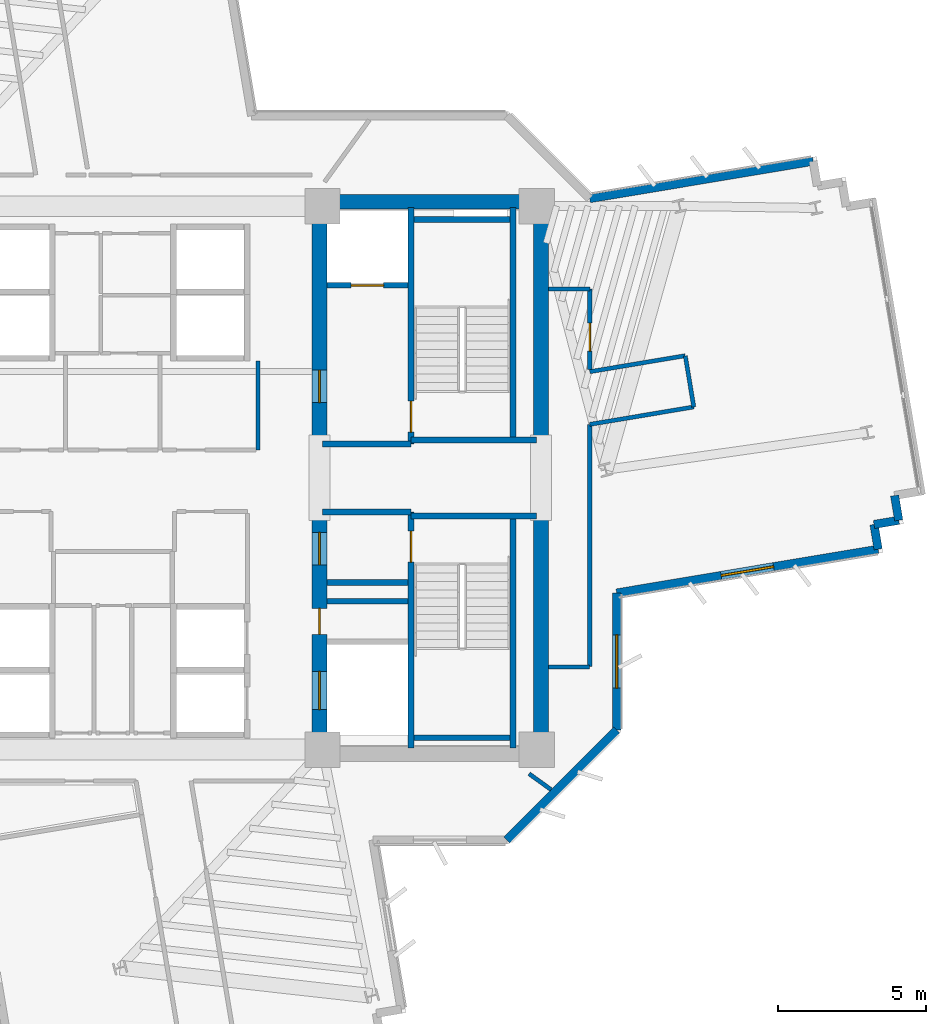
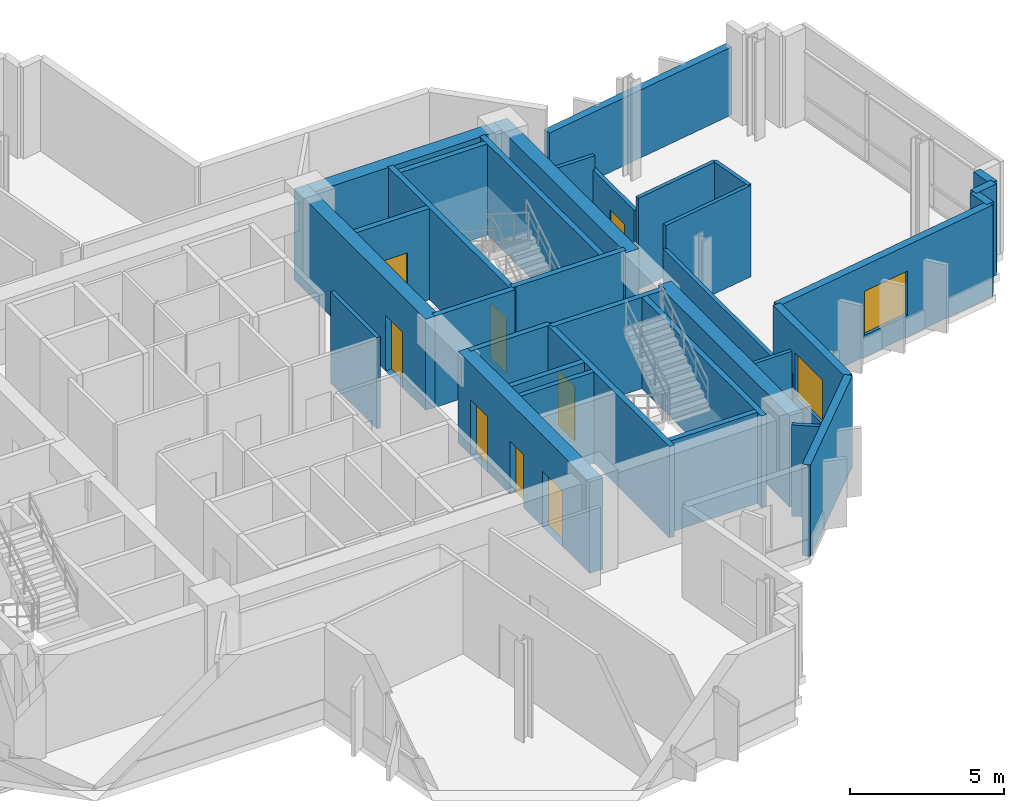
# One storey, part 10 of 15: 34 walls, 8 doors, 2 windows, 10 openings.
"""IFC4 building model written with IfcOpenShell, lengths in metres."""

from ifc_helpers import new_model, si_unit, direction, frame, frame_2d, origin, place, context, subcontext, project, spatial, rectangle, extrude, source, transform, mapped, material, layer, layer_set, type_object, element, fill, save


model = new_model("IFC4")

# Units and contexts
model_context = context("Model", 3, precision=1e-05, world=origin(), true_north=direction((0.0, 1.0)))
body_context = subcontext(model_context, "Body", "Model", "MODEL_VIEW")
ifc_project = project(units=[si_unit("LENGTHUNIT", "METRE"), si_unit("AREAUNIT", "SQUARE_METRE"), si_unit("VOLUMEUNIT", "CUBIC_METRE"), si_unit("PLANEANGLEUNIT", "RADIAN"), si_unit("MASSUNIT", "GRAM", prefix="KILO")], contexts=[model_context])

# Site, building, storey
site_placement = place(None, origin())
site = spatial("IfcSite", under=ifc_project, at=site_placement, CompositionType="ELEMENT")
building_placement = place(site_placement, origin())
building = spatial("IfcBuilding", under=site, at=building_placement, Name="Zahravan Cultural Tower", CompositionType="ELEMENT")
storey_placement = place(building_placement, frame((0.0, 0.0, 139.5)))
storey = spatial("IfcBuildingStorey", under=building, at=storey_placement, Name="L31", CompositionType="ELEMENT", Elevation=139.5)

# Wall, openings, doors
ifc_material_1 = material(Name="Concrete C60/75", Category="concrete")
ifc_layer_1 = layer(ifc_material_1, 0.5)
ifc_layer_set_1 = layer_set([ifc_layer_1], Name="Concrete C60/75")
wall_type_1 = type_object("IfcWallType", Name="CW-SHEAR-500-C60", PredefinedType="SHEAR", material=ifc_layer_set_1)
wall_1_placement = place(storey_placement, frame((43.0, 17.39990234375, 0.0), z_axis=(0.0, 0.0, 1.0), x_axis=(0.0, 1.0, 0.0)))
wall_1 = element("IfcWall", 1, at=wall_1_placement, inside=storey, type_object=wall_type_1, Name="L31 Core Shear Wall CW-E-WS-L31", PredefinedType="SHEAR", context=body_context, shape_type="SweptSolid", body=[
    extrude(rectangle(XDim=8.550048828125, YDim=0.5, at=frame_2d((4.27490234375, 0.0))), origin(), (0.0, 0.0, 1.0), 3.6201171875),
])
opening_1_placement = place(wall_1_placement, frame((6.64990234375, 0.0, 0.0)))
opening_1 = element("IfcOpeningElement", 2, at=opening_1_placement, cuts=wall_1, Name="Opening D-L31-08", PredefinedType="OPENING", context=body_context, shape_type="SweptSolid", body=[
    extrude(rectangle(XDim=1.10009765625, YDim=2.199951171875, at=frame_2d((0.550048828125, 1.10009765625))), frame((0.0, 0.260009765625, 0.0), z_axis=(0.0, -1.0, 0.0), x_axis=(1.0, 0.0, 0.0)), (0.0, 0.0, 1.0), 0.52001953125),
])
opening_2_placement = place(wall_1_placement, frame((1.75, 0.0, 0.0)))
opening_2 = element("IfcOpeningElement", 3, at=opening_2_placement, cuts=wall_1, Name="Opening LD-L31-03", PredefinedType="OPENING", context=body_context, shape_type="SweptSolid", body=[
    extrude(rectangle(XDim=1.300048828125, YDim=2.199951171875, at=frame_2d((0.64990234375, 1.10009765625))), frame((0.0, 0.260009765625, 0.0), z_axis=(0.0, -1.0, 0.0), x_axis=(1.0, 0.0, 0.0)), (0.0, 0.0, 1.0), 0.52001953125),
])
opening_3_placement = place(wall_1_placement, frame((4.300048828125, 0.0, 0.0)))
opening_3 = element("IfcOpeningElement", 4, at=opening_3_placement, cuts=wall_1, Name="Opening D-L31-12", PredefinedType="OPENING", context=body_context, shape_type="SweptSolid", body=[
    extrude(rectangle(XDim=0.8798828125, YDim=2.10009765625, at=frame_2d((0.43994140625, 1.050048828125))), frame((0.0, 0.260009765625, 0.0), z_axis=(0.0, -1.0, 0.0), x_axis=(1.0, 0.0, 0.0)), (0.0, 0.0, 1.0), 0.52001953125),
])
ifc_material_2 = material(Name="Steel ASTM A572 Grade 50", Category="steel")
door_type_1 = type_object("IfcDoorType", Name="DR-LOBBY-1100", OperationType="NOTDEFINED", PredefinedType="DOOR", material=ifc_material_2)
shared_shape_1 = source(origin(), body_context, "Body", "SweptSolid", [
    extrude(rectangle(XDim=1.10009765625, YDim=2.199951171875, at=frame_2d((0.550048828125, 1.10009765625))), frame((0.0, 0.02490234375, 0.0), z_axis=(0.0, -1.0, 0.0), x_axis=(1.0, 0.0, 0.0)), (0.0, 0.0, 1.0), 0.050048828125),
])
door_1_placement = place(opening_1_placement, origin())
door_1 = element("IfcDoor", 5, at=door_1_placement, inside=storey, type_object=door_type_1, Name="L31 Door D-L31-08", OperationType="SINGLE_SWING_RIGHT", OverallHeight=2.199951171875, OverallWidth=1.10009765625, PredefinedType="DOOR", context=body_context, shape_type="MappedRepresentation", body=[
    mapped(shared_shape_1, transform((0.0, 0.0, 0.0), x_axis=(1.0, 0.0, 0.0), y_axis=(0.0, 1.0, 0.0), z_axis=(0.0, 0.0, 1.0), scale=1.0)),
])
fill(opening_1, door_1)
door_type_2 = type_object("IfcDoorType", Name="DR-LIFT-1300", OperationType="DOUBLE_DOOR_SLIDING", PredefinedType="DOOR", material=ifc_material_2)
shared_shape_2 = source(origin(), body_context, "Body", "SweptSolid", [
    extrude(rectangle(XDim=1.300048828125, YDim=2.199951171875, at=frame_2d((0.64990234375, 1.10009765625))), frame((0.0, 0.02490234375, 0.0), z_axis=(0.0, -1.0, 0.0), x_axis=(1.0, 0.0, 0.0)), (0.0, 0.0, 1.0), 0.050048828125),
])
door_2_placement = place(opening_2_placement, origin())
door_2 = element("IfcDoor", 6, at=door_2_placement, inside=storey, type_object=door_type_2, Name="L31 Door LD-L31-03", OperationType="DOUBLE_DOOR_SLIDING", OverallHeight=2.199951171875, OverallWidth=1.300048828125, PredefinedType="DOOR", context=body_context, shape_type="MappedRepresentation", body=[
    mapped(shared_shape_2, transform((0.0, 0.0, 0.0), x_axis=(1.0, 0.0, 0.0), y_axis=(0.0, 1.0, 0.0), z_axis=(0.0, 0.0, 1.0), scale=1.0)),
])
fill(opening_2, door_2)
door_type_3 = type_object("IfcDoorType", Name="DR-SVC-880", OperationType="NOTDEFINED", PredefinedType="DOOR", material=ifc_material_2)
shared_shape_3 = source(origin(), body_context, "Body", "SweptSolid", [
    extrude(rectangle(XDim=0.8798828125, YDim=2.10009765625, at=frame_2d((0.43994140625, 1.050048828125))), frame((0.0, 0.02490234375, 0.0), z_axis=(0.0, -1.0, 0.0), x_axis=(1.0, 0.0, 0.0)), (0.0, 0.0, 1.0), 0.050048828125),
])
door_3_placement = place(opening_3_placement, origin())
door_3 = element("IfcDoor", 7, at=door_3_placement, inside=storey, type_object=door_type_3, Name="L31 Door D-L31-12", OperationType="SINGLE_SWING_RIGHT", OverallHeight=2.10009765625, OverallWidth=0.8798828125, PredefinedType="DOOR", context=body_context, shape_type="MappedRepresentation", body=[
    mapped(shared_shape_3, transform((0.0, 0.0, 0.0), x_axis=(1.0, 0.0, 0.0), y_axis=(0.0, 1.0, 0.0), z_axis=(0.0, 0.0, 1.0), scale=1.0)),
])
fill(opening_3, door_3)

# Wall, opening, door
wall_2_placement = place(storey_placement, frame((43.0, 28.050048828125, 0.0), z_axis=(0.0, 0.0, 1.0), x_axis=(0.0, 1.0, 0.0)))
wall_2 = element("IfcWall", 8, at=wall_2_placement, inside=storey, type_object=wall_type_1, Name="L31 Core Shear Wall CW-E-WN-L31", PredefinedType="SHEAR", context=body_context, shape_type="SweptSolid", body=[
    extrude(rectangle(XDim=8.550048828125, YDim=0.5, at=frame_2d((4.27490234375, 0.0))), origin(), (0.0, 0.0, 1.0), 3.6201171875),
])
opening_4_placement = place(wall_2_placement, frame((1.5, 0.0, 0.0)))
opening_4 = element("IfcOpeningElement", 9, at=opening_4_placement, cuts=wall_2, Name="Opening D-L31-06", PredefinedType="OPENING", context=body_context, shape_type="SweptSolid", body=[
    extrude(rectangle(XDim=1.10009765625, YDim=2.199951171875, at=frame_2d((0.550048828125, 1.10009765625))), frame((0.0, 0.260009765625, 0.0), z_axis=(0.0, -1.0, 0.0), x_axis=(1.0, 0.0, 0.0)), (0.0, 0.0, 1.0), 0.52001953125),
])
door_4_placement = place(opening_4_placement, origin())
door_4 = element("IfcDoor", 10, at=door_4_placement, inside=storey, type_object=door_type_1, Name="L31 Door D-L31-06", OperationType="SINGLE_SWING_RIGHT", OverallHeight=2.199951171875, OverallWidth=1.10009765625, PredefinedType="DOOR", context=body_context, shape_type="MappedRepresentation", body=[
    mapped(shared_shape_1, transform((0.0, 0.0, 0.0), x_axis=(1.0, 0.0, 0.0), y_axis=(0.0, 1.0, 0.0), z_axis=(0.0, 0.0, 1.0), scale=1.0)),
])
fill(opening_4, door_4)

# Wall, opening, window
ifc_material_3 = material(Name="Precast concrete C40/50", Category="concrete")
ifc_layer_2 = layer(ifc_material_3, 0.280029296875)
ifc_layer_set_2 = layer_set([ifc_layer_2], Name="Precast concrete C40/50")
wall_type_2 = type_object("IfcWallType", Name="EW-TC-280", PredefinedType="SOLIDWALL", material=ifc_layer_set_2)
wall_3_placement = place(storey_placement, frame((61.9140625, 24.583984375, 0.0), z_axis=(0.0, 0.0, 1.0), x_axis=(-0.98628492446, -0.165051651865, 0.0)))
wall_3 = element("IfcWall", 11, at=wall_3_placement, inside=storey, type_object=wall_type_2, Name="L31 Exterior Masonry Frame Wall 10", PredefinedType="SOLIDWALL", context=body_context, shape_type="SweptSolid", body=[
    extrude(rectangle(XDim=8.97705078125, YDim=0.280029296875, at=frame_2d((4.488525390625, 0.0))), origin(), (0.0, 0.0, 1.0), 3.6201171875),
])
opening_5_placement = place(wall_3_placement, frame((3.589111328125, 0.0, 0.85009765625)))
opening_5 = element("IfcOpeningElement", 12, at=opening_5_placement, cuts=wall_3, Name="Opening WN-02", PredefinedType="OPENING", context=body_context, shape_type="SweptSolid", body=[
    extrude(rectangle(XDim=1.800048828125, YDim=1.75, at=frame_2d((0.89990234375, 0.875))), frame((0.0, 0.14990234375, 0.0), z_axis=(0.0, -1.0, 0.0), x_axis=(1.0, 0.0, 0.0)), (0.0, 0.0, 1.0), 0.300048828125),
])
ifc_material_4 = material(Name="Low-E solar-control double glazing", Category="glass")
window_type = type_object("IfcWindowType", Name="WN-REC-1800X1750", PartitioningType="DOUBLE_PANEL_VERTICAL", PredefinedType="WINDOW", material=ifc_material_4)
shared_shape_4 = source(origin(), body_context, "Body", "SweptSolid", [
    extrude(rectangle(XDim=1.800048828125, YDim=1.75, at=frame_2d((0.89990234375, 0.875))), frame((0.0, 0.030029296875, 0.0), z_axis=(0.0, -1.0, 0.0), x_axis=(1.0, 0.0, 0.0)), (0.0, 0.0, 1.0), 0.06005859375),
])
window_1_placement = place(opening_5_placement, origin())
window_1 = element("IfcWindow", 13, at=window_1_placement, inside=storey, type_object=window_type, Name="L31 Recessed Solar Window 01", OverallHeight=1.75, OverallWidth=1.800048828125, PartitioningType="DOUBLE_PANEL_VERTICAL", PredefinedType="WINDOW", context=body_context, shape_type="MappedRepresentation", body=[
    mapped(shared_shape_4, transform((0.0, 0.0, 0.0), x_axis=(1.0, 0.0, 0.0), y_axis=(0.0, 1.0, 0.0), z_axis=(0.0, 0.0, 1.0), scale=1.0)),
])
fill(opening_5, window_1)

wall_4_placement = place(storey_placement, frame((53.06005859375, 23.102294921875, 0.0), z_axis=(0.0, 0.0, 1.0), x_axis=(0.0, -1.0, 0.0)))
wall_4 = element("IfcWall", 14, at=wall_4_placement, inside=storey, type_object=wall_type_2, Name="L31 Exterior Masonry Frame Wall 11", PredefinedType="SOLIDWALL", context=body_context, shape_type="SweptSolid", body=[
    extrude(rectangle(XDim=4.644287109375, YDim=0.280029296875, at=frame_2d((2.322265625, 0.0))), origin(), (0.0, 0.0, 1.0), 3.6201171875),
])
opening_6_placement = place(wall_4_placement, frame((1.422119140625, 0.0, 0.85009765625)))
opening_6 = element("IfcOpeningElement", 15, at=opening_6_placement, cuts=wall_4, Name="Opening WN-02", PredefinedType="OPENING", context=body_context, shape_type="SweptSolid", body=[
    extrude(rectangle(XDim=1.800048828125, YDim=1.75, at=frame_2d((0.89990234375, 0.875))), frame((0.0, 0.14990234375, 0.0), z_axis=(0.0, -1.0, 0.0), x_axis=(1.0, 0.0, 0.0)), (0.0, 0.0, 1.0), 0.300048828125),
])
window_2_placement = place(opening_6_placement, origin())
window_2 = element("IfcWindow", 16, at=window_2_placement, inside=storey, type_object=window_type, Name="L31 Recessed Solar Window 02", OverallHeight=1.75, OverallWidth=1.800048828125, PartitioningType="DOUBLE_PANEL_VERTICAL", PredefinedType="WINDOW", context=body_context, shape_type="MappedRepresentation", body=[
    mapped(shared_shape_4, transform((0.0, 0.0, 0.0), x_axis=(1.0, 0.0, 0.0), y_axis=(0.0, 1.0, 0.0), z_axis=(0.0, 0.0, 1.0), scale=1.0)),
])
fill(opening_6, window_2)

# Wall, opening, door
ifc_material_5 = material(Name="Gypsum plasterboard partition")
ifc_layer_3 = layer(ifc_material_5, 0.139892578125)
ifc_layer_set_3 = layer_set([ifc_layer_3], Name="Gypsum plasterboard partition")
wall_type_3 = type_object("IfcWallType", Name="W-PART-140", PredefinedType="PARTITIONING", material=ifc_layer_set_3)
wall_5_placement = place(storey_placement, frame((52.14990234375, 30.6708984375, 0.0), z_axis=(0.0, 0.0, 1.0), x_axis=(-0.000447667607, 0.999999899797, 0.0)))
wall_5 = element("IfcWall", 17, at=wall_5_placement, inside=storey, type_object=wall_type_3, Name="L31 Interior Wall 117", PredefinedType="PARTITIONING", context=body_context, shape_type="SweptSolid", body=[
    extrude(rectangle(XDim=2.726806640625, YDim=0.139892578125, at=frame_2d((1.36328125, 0.0))), origin(), (0.0, 0.0, 1.0), 3.0791015625),
])
opening_7_placement = place(wall_5_placement, frame((0.621826171875, 0.0, 0.0)))
opening_7 = element("IfcOpeningElement", 18, at=opening_7_placement, cuts=wall_5, Name="Opening D-L31-23", PredefinedType="OPENING", context=body_context, shape_type="SweptSolid", body=[
    extrude(rectangle(XDim=0.949951171875, YDim=2.14990234375, at=frame_2d((0.47509765625, 1.074951171875))), frame((0.0, 0.079833984375, 0.0), z_axis=(0.0, -1.0, 0.0), x_axis=(1.0, 0.0, 0.0)), (0.0, 0.0, 1.0), 0.159912109375),
])
ifc_material_6 = material(Name="Anodised bronze-aluminium mullion", Category="aluminium")
door_type_4 = type_object("IfcDoorType", Name="DR-ROOM-950", OperationType="NOTDEFINED", PredefinedType="DOOR", material=ifc_material_6)
shared_shape_5 = source(origin(), body_context, "Body", "SweptSolid", [
    extrude(rectangle(XDim=0.949951171875, YDim=2.14990234375, at=frame_2d((0.47509765625, 1.074951171875))), frame((0.0, 0.02490234375, 0.0), z_axis=(0.0, -1.0, 0.0), x_axis=(1.0, 0.0, 0.0)), (0.0, 0.0, 1.0), 0.050048828125),
])
door_5_placement = place(opening_7_placement, origin())
door_5 = element("IfcDoor", 19, at=door_5_placement, inside=storey, type_object=door_type_4, Name="L31 Door D-L31-23", OperationType="SINGLE_SWING_LEFT", OverallHeight=2.14990234375, OverallWidth=0.949951171875, PredefinedType="DOOR", context=body_context, shape_type="MappedRepresentation", body=[
    mapped(shared_shape_5, transform((0.0, 0.0, 0.0), x_axis=(1.0, 0.0, 0.0), y_axis=(0.0, 1.0, 0.0), z_axis=(0.0, 0.0, 1.0), scale=1.0)),
])
fill(opening_7, door_5)

ifc_material_7 = material(Name="Concrete C45/55", Category="concrete")
ifc_layer_4 = layer(ifc_material_7, 0.199951171875)
ifc_layer_set_4 = layer_set([ifc_layer_4], Name="Concrete C45/55")
wall_type_4 = type_object("IfcWallType", Name="W-SHAFT-200", PredefinedType="SOLIDWALL", material=ifc_layer_set_4)
wall_6_placement = place(storey_placement, frame((46.10009765625, 17.85009765625, 0.0), z_axis=(0.0, 0.0, 1.0), x_axis=(0.0, 1.0, 0.0)))
wall_6 = element("IfcWall", 20, at=wall_6_placement, inside=storey, type_object=wall_type_4, Name="L31 Interior Wall 007", PredefinedType="SOLIDWALL", context=body_context, shape_type="SweptSolid", body=[
    extrude(rectangle(XDim=8.0, YDim=0.199951171875, at=frame_2d((4.0, 0.0))), origin(), (0.0, 0.0, 1.0), 3.6201171875),
])
opening_8_placement = place(wall_6_placement, frame((6.300048828125, 0.0, 0.0)))
opening_8 = element("IfcOpeningElement", 21, at=opening_8_placement, cuts=wall_6, Name="Opening D-L31-03", PredefinedType="OPENING", context=body_context, shape_type="SweptSolid", body=[
    extrude(rectangle(XDim=1.050048828125, YDim=2.14990234375, at=frame_2d((0.52490234375, 1.074951171875))), frame((0.0, 0.10986328125, 0.0), z_axis=(0.0, -1.0, 0.0), x_axis=(1.0, 0.0, 0.0)), (0.0, 0.0, 1.0), 0.219970703125),
])
door_type_5 = type_object("IfcDoorType", Name="DR-STAIR-1050", OperationType="NOTDEFINED", PredefinedType="DOOR", material=ifc_material_2)
shared_shape_6 = source(origin(), body_context, "Body", "SweptSolid", [
    extrude(rectangle(XDim=1.050048828125, YDim=2.14990234375, at=frame_2d((0.52490234375, 1.074951171875))), frame((0.0, 0.02490234375, 0.0), z_axis=(0.0, -1.0, 0.0), x_axis=(1.0, 0.0, 0.0)), (0.0, 0.0, 1.0), 0.050048828125),
])
door_6_placement = place(opening_8_placement, origin())
door_6 = element("IfcDoor", 22, at=door_6_placement, inside=storey, type_object=door_type_5, Name="L31 Door D-L31-03", OperationType="SINGLE_SWING_LEFT", OverallHeight=2.14990234375, OverallWidth=1.050048828125, PredefinedType="DOOR", context=body_context, shape_type="MappedRepresentation", body=[
    mapped(shared_shape_6, transform((0.0, 0.0, 0.0), x_axis=(1.0, 0.0, 0.0), y_axis=(0.0, 1.0, 0.0), z_axis=(0.0, 0.0, 1.0), scale=1.0)),
])
fill(opening_8, door_6)

wall_7_placement = place(storey_placement, frame((46.10009765625, 28.14990234375, 0.0), z_axis=(0.0, 0.0, 1.0), x_axis=(0.0, 1.0, 0.0)))
wall_7 = element("IfcWall", 23, at=wall_7_placement, inside=storey, type_object=wall_type_4, Name="L31 Interior Wall 008", PredefinedType="SOLIDWALL", context=body_context, shape_type="SweptSolid", body=[
    extrude(rectangle(XDim=8.0, YDim=0.199951171875, at=frame_2d((4.0, 0.0))), origin(), (0.0, 0.0, 1.0), 3.6201171875),
])
opening_9_placement = place(wall_7_placement, frame((0.39990234375, 0.0, 0.0)))
opening_9 = element("IfcOpeningElement", 24, at=opening_9_placement, cuts=wall_7, Name="Opening D-L31-02", PredefinedType="OPENING", context=body_context, shape_type="SweptSolid", body=[
    extrude(rectangle(XDim=1.050048828125, YDim=2.14990234375, at=frame_2d((0.52490234375, 1.074951171875))), frame((0.0, 0.10986328125, 0.0), z_axis=(0.0, -1.0, 0.0), x_axis=(1.0, 0.0, 0.0)), (0.0, 0.0, 1.0), 0.219970703125),
])
door_7_placement = place(opening_9_placement, origin())
door_7 = element("IfcDoor", 25, at=door_7_placement, inside=storey, type_object=door_type_5, Name="L31 Door D-L31-02", OperationType="SINGLE_SWING_RIGHT", OverallHeight=2.14990234375, OverallWidth=1.050048828125, PredefinedType="DOOR", context=body_context, shape_type="MappedRepresentation", body=[
    mapped(shared_shape_6, transform((0.0, 0.0, 0.0), x_axis=(1.0, 0.0, 0.0), y_axis=(0.0, 1.0, 0.0), z_axis=(0.0, 0.0, 1.0), scale=1.0)),
])
fill(opening_9, door_7)

wall_8_placement = place(storey_placement, frame((43.25, 33.52001953125, 0.0), z_axis=(0.0, 0.0, 1.0), x_axis=(1.0, 0.0, 0.0)))
wall_8 = element("IfcWall", 26, at=wall_8_placement, inside=storey, type_object=wall_type_4, Name="L31 Interior Wall 022", PredefinedType="SOLIDWALL", context=body_context, shape_type="SweptSolid", body=[
    extrude(rectangle(XDim=2.75, YDim=0.199951171875, at=frame_2d((1.375, 0.0))), origin(), (0.0, 0.0, 1.0), 3.6201171875),
])
opening_10_placement = place(wall_8_placement, frame((0.820068359375, 0.0, 0.0)))
opening_10 = element("IfcOpeningElement", 27, at=opening_10_placement, cuts=wall_8, Name="Opening LD-L31-02", PredefinedType="OPENING", context=body_context, shape_type="SweptSolid", body=[
    extrude(rectangle(XDim=1.10009765625, YDim=2.14990234375, at=frame_2d((0.550048828125, 1.074951171875))), frame((0.0, 0.10986328125, 0.0), z_axis=(0.0, -1.0, 0.0), x_axis=(1.0, 0.0, 0.0)), (0.0, 0.0, 1.0), 0.219970703125),
])
door_type_6 = type_object("IfcDoorType", Name="DR-LIFT-1100", OperationType="DOUBLE_DOOR_SLIDING", PredefinedType="DOOR", material=ifc_material_2)
shared_shape_7 = source(origin(), body_context, "Body", "SweptSolid", [
    extrude(rectangle(XDim=1.10009765625, YDim=2.14990234375, at=frame_2d((0.550048828125, 1.074951171875))), frame((0.0, 0.02490234375, 0.0), z_axis=(0.0, -1.0, 0.0), x_axis=(1.0, 0.0, 0.0)), (0.0, 0.0, 1.0), 0.050048828125),
])
door_8_placement = place(opening_10_placement, origin())
door_8 = element("IfcDoor", 28, at=door_8_placement, inside=storey, type_object=door_type_6, Name="L31 Door LD-L31-02", OperationType="DOUBLE_DOOR_SLIDING", OverallHeight=2.14990234375, OverallWidth=1.10009765625, PredefinedType="DOOR", context=body_context, shape_type="MappedRepresentation", body=[
    mapped(shared_shape_7, transform((0.0, 0.0, 0.0), x_axis=(1.0, 0.0, 0.0), y_axis=(0.0, 1.0, 0.0), z_axis=(0.0, 0.0, 1.0), scale=1.0)),
])
fill(opening_10, door_8)

# Walls
shared_shape_8 = source(origin(), body_context, "Body", "SweptSolid", [
    extrude(rectangle(XDim=8.550048828125, YDim=0.5, at=frame_2d((4.27490234375, 0.0))), origin(), (0.0, 0.0, 1.0), 3.6201171875),
])
for number, where, z_axis, x_axis, name in (
    (29, (50.5, 17.39990234375, 0.0), (0.0, 0.0, 1.0), (0.0, 1.0, 0.0), "L31 Core Shear Wall CW-E-ES-L31"),
    (30, (50.5, 28.050048828125, 0.0), (0.0, 0.0, 1.0), (0.0, 1.0, 0.0), "L31 Core Shear Wall CW-E-EN-L31"),
):
    element("IfcWall", number, at=place(storey_placement, frame(where, z_axis=z_axis, x_axis=x_axis)), inside=storey, type_object=wall_type_1, Name=name, PredefinedType="SHEAR", context=body_context, shape_type="MappedRepresentation", body=[
        mapped(shared_shape_8, transform((0.0, 0.0, 0.0), x_axis=(1.0, 0.0, 0.0), y_axis=(0.0, 1.0, 0.0), z_axis=(0.0, 0.0, 1.0), scale=1.0)),
    ])
shared_shape_9 = source(origin(), body_context, "Body", "SweptSolid", [
    extrude(rectangle(XDim=7.0, YDim=0.5, at=frame_2d((3.5, 0.0))), origin(), (0.0, 0.0, 1.0), 3.6201171875),
])
wall_9_placement = place(storey_placement, frame((43.25, 36.35009765625, 0.0), z_axis=(0.0, 0.0, 1.0), x_axis=(1.0, 0.0, 0.0)))
element("IfcWall", 31, at=wall_9_placement, inside=storey, type_object=wall_type_1, Name="L31 Core Shear Wall CW-E-N-L31", PredefinedType="SHEAR", context=body_context, shape_type="MappedRepresentation", body=[
    mapped(shared_shape_9, transform((0.0, 0.0, 0.0), x_axis=(1.0, 0.0, 0.0), y_axis=(0.0, 1.0, 0.0), z_axis=(0.0, 0.0, 1.0), scale=1.0)),
])
shared_shape_10 = source(origin(), body_context, "Body", "SweptSolid", [
    extrude(rectangle(XDim=7.673828125, YDim=0.280029296875, at=frame_2d((3.8369140625, 0.0))), origin(), (0.0, 0.0, 1.0), 2.693115234375),
])
wall_10_placement = place(storey_placement, frame((52.147216796875, 36.45458984375, 0.0), z_axis=(0.0, 0.0, 1.0), x_axis=(0.986284504747, 0.165054159886, 0.0)))
element("IfcWall", 32, at=wall_10_placement, inside=storey, type_object=wall_type_2, Name="L31 Exterior Masonry Frame Wall 01", PredefinedType="SOLIDWALL", context=body_context, shape_type="MappedRepresentation", body=[
    mapped(shared_shape_10, transform((0.0, 0.0, 0.0), x_axis=(1.0, 0.0, 0.0), y_axis=(0.0, 1.0, 0.0), z_axis=(0.0, 0.0, 1.0), scale=1.0)),
])
shared_shape_11 = source(origin(), body_context, "Body", "SweptSolid", [
    extrude(rectangle(XDim=0.85009765625, YDim=0.280029296875, at=frame_2d((0.425048828125, 0.0))), origin(), (0.0, 0.0, 1.0), 3.6201171875),
])
for number, where, z_axis, x_axis, name in (
    (33, (62.471923828125, 26.40087890625, 0.0), (0.0, 0.0, 1.0), (0.16514412658, -0.986269444653, 0.0), "L31 Exterior Masonry Frame Wall 07"),
    (34, (62.6123046875, 25.5625, 0.0), (0.0, 0.0, 1.0), (-0.986316186628, -0.164864732418, 0.0), "L31 Exterior Masonry Frame Wall 08"),
    (35, (61.77392578125, 25.42236328125, 0.0), (0.0, 0.0, 1.0), (0.164864732418, -0.986316186628, 0.0), "L31 Exterior Masonry Frame Wall 09"),
):
    element("IfcWall", number, at=place(storey_placement, frame(where, z_axis=z_axis, x_axis=x_axis)), inside=storey, type_object=wall_type_2, Name=name, PredefinedType="SOLIDWALL", context=body_context, shape_type="MappedRepresentation", body=[
        mapped(shared_shape_11, transform((0.0, 0.0, 0.0), x_axis=(1.0, 0.0, 0.0), y_axis=(0.0, 1.0, 0.0), z_axis=(0.0, 0.0, 1.0), scale=1.0)),
    ])
shared_shape_12 = source(origin(), body_context, "Body", "SweptSolid", [
    extrude(rectangle(XDim=5.258056640625, YDim=0.280029296875, at=frame_2d((2.62890625, 0.0))), origin(), (0.0, 0.0, 1.0), 3.6201171875),
])
wall_11_placement = place(storey_placement, frame((53.06005859375, 18.4580078125, 0.0), z_axis=(0.0, 0.0, 1.0), x_axis=(-0.707106781187, -0.707106781187, 0.0)))
element("IfcWall", 36, at=wall_11_placement, inside=storey, type_object=wall_type_2, Name="L31 Exterior Masonry Frame Wall 12", PredefinedType="SOLIDWALL", context=body_context, shape_type="MappedRepresentation", body=[
    mapped(shared_shape_12, transform((0.0, 0.0, 0.0), x_axis=(1.0, 0.0, 0.0), y_axis=(0.0, 1.0, 0.0), z_axis=(0.0, 0.0, 1.0), scale=1.0)),
])
shared_shape_13 = source(origin(), body_context, "Body", "SweptSolid", [
    extrude(rectangle(XDim=7.869873046875, YDim=0.199951171875, at=frame_2d((3.93505859375, 0.0))), origin(), (0.0, 0.0, 1.0), 3.6201171875),
])
for number, where, z_axis, x_axis, name in (
    (37, (49.550048828125, 17.85009765625, 0.0), (0.0, 0.0, 1.0), (0.0, 1.0, 0.0), "L31 Interior Wall 003"),
    (38, (49.550048828125, 28.280029296875, 0.0), (0.0, 0.0, 1.0), (0.0, 1.0, 0.0), "L31 Interior Wall 004"),
):
    element("IfcWall", number, at=place(storey_placement, frame(where, z_axis=z_axis, x_axis=x_axis)), inside=storey, type_object=wall_type_4, Name=name, PredefinedType="SOLIDWALL", context=body_context, shape_type="MappedRepresentation", body=[
        mapped(shared_shape_13, transform((0.0, 0.0, 0.0), x_axis=(1.0, 0.0, 0.0), y_axis=(0.0, 1.0, 0.0), z_axis=(0.0, 0.0, 1.0), scale=1.0)),
    ])
shared_shape_14 = source(origin(), body_context, "Body", "SweptSolid", [
    extrude(rectangle(XDim=4.25, YDim=0.199951171875, at=frame_2d((2.125, 0.0))), origin(), (0.0, 0.0, 1.0), 3.6201171875),
])
for number, where, z_axis, x_axis, name in (
    (39, (46.10009765625, 25.715087890625, 0.0), (0.0, 0.0, 1.0), (1.0, 0.0, 0.0), "L31 Interior Wall 014"),
    (40, (46.10009765625, 28.284912109375, 0.0), (0.0, 0.0, 1.0), (1.0, 0.0, 0.0), "L31 Interior Wall 016"),
):
    element("IfcWall", number, at=place(storey_placement, frame(where, z_axis=z_axis, x_axis=x_axis)), inside=storey, type_object=wall_type_4, Name=name, PredefinedType="SOLIDWALL", context=body_context, shape_type="MappedRepresentation", body=[
        mapped(shared_shape_14, transform((0.0, 0.0, 0.0), x_axis=(1.0, 0.0, 0.0), y_axis=(0.0, 1.0, 0.0), z_axis=(0.0, 0.0, 1.0), scale=1.0)),
    ])
shared_shape_15 = source(origin(), body_context, "Body", "SweptSolid", [
    extrude(rectangle(XDim=3.0, YDim=0.199951171875, at=frame_2d((1.5, 0.0))), origin(), (0.0, 0.0, 1.0), 3.6201171875),
])
for number, where, z_axis, x_axis, name in (
    (41, (43.10009765625, 25.85009765625, 0.0), (0.0, 0.0, 1.0), (1.0, 0.0, 0.0), "L31 Interior Wall 013"),
    (42, (43.10009765625, 28.14990234375, 0.0), (0.0, 0.0, 1.0), (1.0, 0.0, 0.0), "L31 Interior Wall 015"),
):
    element("IfcWall", number, at=place(storey_placement, frame(where, z_axis=z_axis, x_axis=x_axis)), inside=storey, type_object=wall_type_4, Name=name, PredefinedType="SOLIDWALL", context=body_context, shape_type="MappedRepresentation", body=[
        mapped(shared_shape_15, transform((0.0, 0.0, 0.0), x_axis=(1.0, 0.0, 0.0), y_axis=(0.0, 1.0, 0.0), z_axis=(0.0, 0.0, 1.0), scale=1.0)),
    ])
shared_shape_16 = source(origin(), body_context, "Body", "SweptSolid", [
    extrude(rectangle(XDim=3.25, YDim=0.199951171875, at=frame_2d((1.625, 0.0))), origin(), (0.0, 0.0, 1.0), 3.6201171875),
])
for number, where, z_axis, x_axis, name in (
    (43, (46.199951171875, 35.75, 0.0), (0.0, 0.0, 1.0), (1.0, 0.0, 0.0), "L31 Interior Wall 018"),
    (44, (46.199951171875, 18.199951171875, 0.0), (0.0, 0.0, 1.0), (1.0, 0.0, 0.0), "L31 Interior Wall 020"),
):
    element("IfcWall", number, at=place(storey_placement, frame(where, z_axis=z_axis, x_axis=x_axis)), inside=storey, type_object=wall_type_4, Name=name, PredefinedType="SOLIDWALL", context=body_context, shape_type="MappedRepresentation", body=[
        mapped(shared_shape_16, transform((0.0, 0.0, 0.0), x_axis=(1.0, 0.0, 0.0), y_axis=(0.0, 1.0, 0.0), z_axis=(0.0, 0.0, 1.0), scale=1.0)),
    ])
shared_shape_17 = source(origin(), body_context, "Body", "SweptSolid", [
    extrude(rectangle(XDim=2.75, YDim=0.199951171875, at=frame_2d((1.375, 0.0))), origin(), (0.0, 0.0, 1.0), 3.6201171875),
])
wall_12_placement = place(storey_placement, frame((43.25, 23.449951171875, 0.0), z_axis=(0.0, 0.0, 1.0), x_axis=(1.0, 0.0, 0.0)))
element("IfcWall", 45, at=wall_12_placement, inside=storey, type_object=wall_type_4, Name="L31 Interior Wall 024", PredefinedType="SOLIDWALL", context=body_context, shape_type="MappedRepresentation", body=[
    mapped(shared_shape_17, transform((0.0, 0.0, 0.0), x_axis=(1.0, 0.0, 0.0), y_axis=(0.0, 1.0, 0.0), z_axis=(0.0, 0.0, 1.0), scale=1.0)),
])
ifc_layer_5 = layer(ifc_material_5, 0.179931640625)
ifc_layer_set_5 = layer_set([ifc_layer_5], Name="Gypsum plasterboard partition")
wall_type_5 = type_object("IfcWallType", Name="W-COMP-180", PredefinedType="PARTITIONING", material=ifc_layer_set_5)
shared_shape_18 = source(origin(), body_context, "Body", "SweptSolid", [
    extrude(rectangle(XDim=2.75, YDim=0.179931640625, at=frame_2d((1.375, 0.0))), origin(), (0.0, 0.0, 1.0), 3.6201171875),
])
wall_13_placement = place(storey_placement, frame((43.25, 22.820068359375, 0.0), z_axis=(0.0, 0.0, 1.0), x_axis=(1.0, 0.0, 0.0)))
element("IfcWall", 46, at=wall_13_placement, inside=storey, type_object=wall_type_5, Name="L31 Interior Wall 028", PredefinedType="PARTITIONING", context=body_context, shape_type="MappedRepresentation", body=[
    mapped(shared_shape_18, transform((0.0, 0.0, 0.0), x_axis=(1.0, 0.0, 0.0), y_axis=(0.0, 1.0, 0.0), z_axis=(0.0, 0.0, 1.0), scale=1.0)),
])
shared_shape_19 = source(origin(), body_context, "Body", "SweptSolid", [
    extrude(rectangle(XDim=3.010009765625, YDim=0.139892578125, at=frame_2d((1.5048828125, 0.0))), origin(), (0.0, 0.0, 1.0), 3.6201171875),
])
wall_14_placement = place(storey_placement, frame((40.919921875, 30.949951171875, 0.0), z_axis=(0.0, 0.0, 1.0), x_axis=(0.0, -1.0, 0.0)))
element("IfcWall", 47, at=wall_14_placement, inside=storey, type_object=wall_type_3, Name="L31 Interior Wall 086", PredefinedType="PARTITIONING", context=body_context, shape_type="MappedRepresentation", body=[
    mapped(shared_shape_19, transform((0.0, 0.0, 0.0), x_axis=(1.0, 0.0, 0.0), y_axis=(0.0, 1.0, 0.0), z_axis=(0.0, 0.0, 1.0), scale=1.0)),
])
shared_shape_20 = source(origin(), body_context, "Body", "SweptSolid", [
    extrude(rectangle(XDim=0.919189453125, YDim=0.139892578125, at=frame_2d((0.45947265625, 0.0))), origin(), (0.0, 0.0, 1.0), 3.6201171875),
])
wall_15_placement = place(storey_placement, frame((50.093994140625, 16.97998046875, 0.0), z_axis=(0.0, 0.0, 1.0), x_axis=(0.81148395648, -0.584374698611, 0.0)))
element("IfcWall", 48, at=wall_15_placement, inside=storey, type_object=wall_type_3, Name="L31 Interior Wall 100", PredefinedType="PARTITIONING", context=body_context, shape_type="MappedRepresentation", body=[
    mapped(shared_shape_20, transform((0.0, 0.0, 0.0), x_axis=(1.0, 0.0, 0.0), y_axis=(0.0, 1.0, 0.0), z_axis=(0.0, 0.0, 1.0), scale=1.0)),
])
shared_shape_21 = source(origin(), body_context, "Body", "SweptSolid", [
    extrude(rectangle(XDim=1.38916015625, YDim=0.139892578125, at=frame_2d((0.694580078125, 0.0))), origin(), (0.0, 0.0, 1.0), 3.6201171875),
])
wall_16_placement = place(storey_placement, frame((50.7548828125, 20.60009765625, 0.0), z_axis=(0.0, 0.0, 1.0), x_axis=(1.0, 0.0, 0.0)))
element("IfcWall", 49, at=wall_16_placement, inside=storey, type_object=wall_type_3, Name="L31 Interior Wall 112", PredefinedType="PARTITIONING", context=body_context, shape_type="MappedRepresentation", body=[
    mapped(shared_shape_21, transform((0.0, 0.0, 0.0), x_axis=(1.0, 0.0, 0.0), y_axis=(0.0, 1.0, 0.0), z_axis=(0.0, 0.0, 1.0), scale=1.0)),
])
shared_shape_22 = source(origin(), body_context, "Body", "SweptSolid", [
    extrude(rectangle(XDim=8.20263671875, YDim=0.139892578125, at=frame_2d((4.101318359375, 0.0))), origin(), (0.0, 0.0, 1.0), 2.693115234375),
])
wall_17_placement = place(storey_placement, frame((52.149658203125, 20.607666015625, 0.0), z_axis=(0.0, 0.0, 1.0), x_axis=(2.9763676e-05, 0.999999999557, 0.0)))
element("IfcWall", 50, at=wall_17_placement, inside=storey, type_object=wall_type_3, Name="L31 Interior Wall 113", PredefinedType="PARTITIONING", context=body_context, shape_type="MappedRepresentation", body=[
    mapped(shared_shape_22, transform((0.0, 0.0, 0.0), x_axis=(1.0, 0.0, 0.0), y_axis=(0.0, 1.0, 0.0), z_axis=(0.0, 0.0, 1.0), scale=1.0)),
])
shared_shape_23 = source(origin(), body_context, "Body", "SweptSolid", [
    extrude(rectangle(XDim=3.5703125, YDim=0.139892578125, at=frame_2d((1.78515625, 0.0))), origin(), (0.0, 0.0, 1.0), 3.6201171875),
])
wall_18_placement = place(storey_placement, frame((52.14990234375, 28.810302734375, 0.0), z_axis=(0.0, 0.0, 1.0), x_axis=(0.98622523321, 0.165407948356, 0.0)))
element("IfcWall", 51, at=wall_18_placement, inside=storey, type_object=wall_type_3, Name="L31 Interior Wall 114", PredefinedType="PARTITIONING", context=body_context, shape_type="MappedRepresentation", body=[
    mapped(shared_shape_23, transform((0.0, 0.0, 0.0), x_axis=(1.0, 0.0, 0.0), y_axis=(0.0, 1.0, 0.0), z_axis=(0.0, 0.0, 1.0), scale=1.0)),
])
shared_shape_24 = source(origin(), body_context, "Body", "SweptSolid", [
    extrude(rectangle(XDim=1.751220703125, YDim=0.139892578125, at=frame_2d((0.87548828125, 0.0))), origin(), (0.0, 0.0, 1.0), 3.6201171875),
])
wall_19_placement = place(storey_placement, frame((55.671142578125, 29.40087890625, 0.0), z_axis=(0.0, 0.0, 1.0), x_axis=(-0.163946827652, 0.986469177269, 0.0)))
element("IfcWall", 52, at=wall_19_placement, inside=storey, type_object=wall_type_3, Name="L31 Interior Wall 115", PredefinedType="PARTITIONING", context=body_context, shape_type="MappedRepresentation", body=[
    mapped(shared_shape_24, transform((0.0, 0.0, 0.0), x_axis=(1.0, 0.0, 0.0), y_axis=(0.0, 1.0, 0.0), z_axis=(0.0, 0.0, 1.0), scale=1.0)),
])
shared_shape_25 = source(origin(), body_context, "Body", "SweptSolid", [
    extrude(rectangle(XDim=3.272216796875, YDim=0.139892578125, at=frame_2d((1.63623046875, 0.0))), origin(), (0.0, 0.0, 1.0), 3.6201171875),
])
wall_20_placement = place(storey_placement, frame((55.377197265625, 31.135009765625, 0.0), z_axis=(0.0, 0.0, 1.0), x_axis=(-0.986274692216, -0.165112784165, 0.0)))
element("IfcWall", 53, at=wall_20_placement, inside=storey, type_object=wall_type_3, Name="L31 Interior Wall 116", PredefinedType="PARTITIONING", context=body_context, shape_type="MappedRepresentation", body=[
    mapped(shared_shape_25, transform((0.0, 0.0, 0.0), x_axis=(1.0, 0.0, 0.0), y_axis=(0.0, 1.0, 0.0), z_axis=(0.0, 0.0, 1.0), scale=1.0)),
])
shared_shape_26 = source(origin(), body_context, "Body", "SweptSolid", [
    extrude(rectangle(XDim=1.393798828125, YDim=0.139892578125, at=frame_2d((0.69677734375, 0.0))), origin(), (0.0, 0.0, 1.0), 3.6201171875),
])
wall_21_placement = place(storey_placement, frame((52.148681640625, 33.397705078125, 0.0), z_axis=(0.0, 0.0, 1.0), x_axis=(-0.999998757392, 0.001576456265, 0.0)))
element("IfcWall", 54, at=wall_21_placement, inside=storey, type_object=wall_type_3, Name="L31 Interior Wall 118", PredefinedType="PARTITIONING", context=body_context, shape_type="MappedRepresentation", body=[
    mapped(shared_shape_26, transform((0.0, 0.0, 0.0), x_axis=(1.0, 0.0, 0.0), y_axis=(0.0, 1.0, 0.0), z_axis=(0.0, 0.0, 1.0), scale=1.0)),
])

save(model, "model.ifc")
